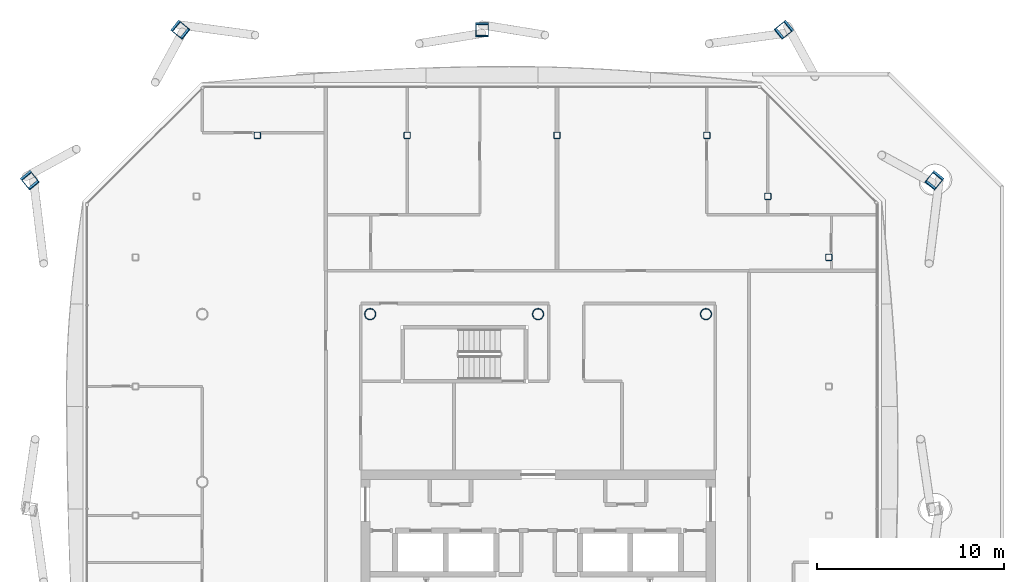
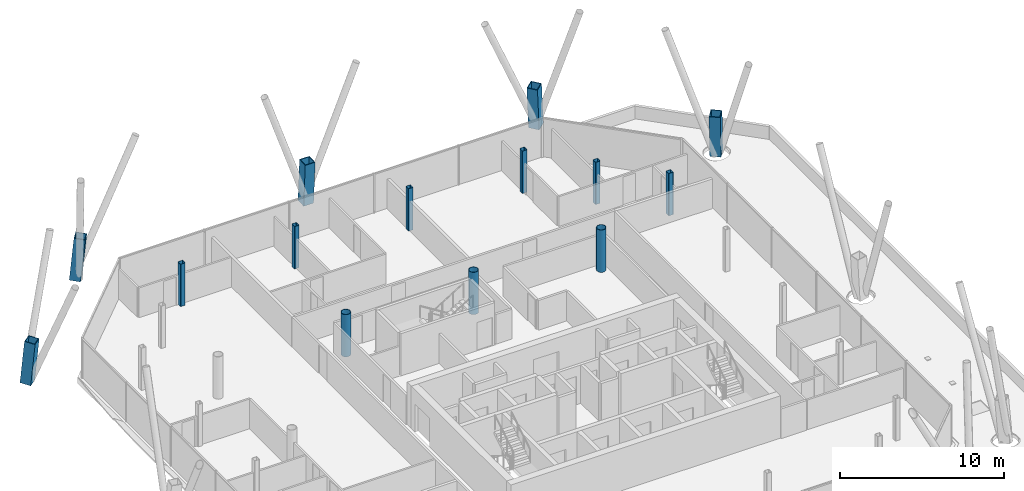
# One storey, part 3 of 21: 14 columns.
"""IFC4 building model written with IfcOpenShell, lengths in metres."""

from ifc_helpers import new_model, si_unit, direction, frame, origin, origin_2d, place, context, subcontext, project, spatial, hollow_rectangle, hollow_circle, extrude, material, material_profile, profile_set, type_object, element, save


model = new_model("IFC4")

# Units and contexts
model_context = context("Model", 3, precision=1e-05, world=origin(), true_north=direction((0.0, 1.0)))
body_context = subcontext(model_context, "Body", "Model", "MODEL_VIEW")
ifc_project = project(units=[si_unit("LENGTHUNIT", "METRE"), si_unit("AREAUNIT", "SQUARE_METRE"), si_unit("VOLUMEUNIT", "CUBIC_METRE"), si_unit("PLANEANGLEUNIT", "RADIAN"), si_unit("MASSUNIT", "GRAM", prefix="KILO")], contexts=[model_context])

# Site, building, storey
site_placement = place(None, origin())
site = spatial("IfcSite", under=ifc_project, at=site_placement, CompositionType="ELEMENT")
building_placement = place(site_placement, origin())
building = spatial("IfcBuilding", under=site, at=building_placement, Name="Tskaro Facet Tower", CompositionType="ELEMENT")
storey_placement = place(building_placement, frame((0.0, 0.0, 172.199951171875)))
storey = spatial("IfcBuildingStorey", under=building, at=storey_placement, Name="L42", CompositionType="ELEMENT", Elevation=172.199951171875)

# Columns
ifc_material_1 = material(Name="Steel S460M", Category="steel")
ifc_material_profile_1 = material_profile(ifc_material_1, hollow_rectangle(XDim=0.699951171875, YDim=0.699951171875, WallThickness=0.044921875, at=origin_2d()), Name="BOX 700x700x45")
ifc_profile_set_1 = profile_set([ifc_material_profile_1], Name="Steel S460M")
column_type_1 = type_object("IfcColumnType", Name="BOX 700x700x45 mega column", PredefinedType="COLUMN", material=ifc_profile_set_1)
for number, where, z_axis, x_axis, name in (
    (1, (21.27587890625, 16.216064453125, 0.0), (-0.057801519621, -0.0717695771, 0.995745003569), (0.778822091241, -0.627244888537, 0.0), "BOX 700x700x45 MC06/4"),
    (2, (13.216064453125, 24.27587890625, 0.0), (-0.0717695771, -0.057801519621, 0.995745003569), (0.627244888537, -0.778822091241, 0.0), "BOX 700x700x45 MC07/4"),
):
    element("IfcColumn", number, at=place(storey_placement, frame(where, z_axis=z_axis, x_axis=x_axis)), inside=storey, type_object=column_type_1, Name=name, PredefinedType="COLUMN", context=body_context, shape_type="SweptSolid", body=[
        extrude(hollow_rectangle(XDim=0.699951171875, YDim=0.699951171875, WallThickness=0.044921875, at=origin_2d()), origin(), (0.0, 0.0, 1.0), 3.16357421875),
    ])
column_placement = place(storey_placement, frame((-3.0, 24.27587890625, 0.0), z_axis=(0.0, -0.057950961306, 0.998319430886), x_axis=(1.0, 0.0, 0.0)))
element("IfcColumn", 3, at=column_placement, inside=storey, type_object=column_type_1, Name="BOX 700x700x45 MC08/4", PredefinedType="COLUMN", context=body_context, shape_type="SweptSolid", body=[
    extrude(hollow_rectangle(XDim=0.699951171875, YDim=0.699951171875, WallThickness=0.044921875, at=origin_2d()), origin(), (0.0, 0.0, 1.0), 3.155517578125),
])
for number, where, z_axis, x_axis, name in (
    (4, (-19.216064453125, 24.27587890625, 0.0), (0.0717695771, -0.057801519621, 0.995745003569), (0.627244888537, 0.778822091241, 0.0), "BOX 700x700x45 MC09/4"),
    (5, (-27.27587890625, 16.216064453125, 0.0), (0.057801519621, -0.0717695771, 0.995745003569), (0.778822091241, 0.627244888537, 0.0), "BOX 700x700x45 MC10/4"),
):
    element("IfcColumn", number, at=place(storey_placement, frame(where, z_axis=z_axis, x_axis=x_axis)), inside=storey, type_object=column_type_1, Name=name, PredefinedType="COLUMN", context=body_context, shape_type="SweptSolid", body=[
        extrude(hollow_rectangle(XDim=0.699951171875, YDim=0.699951171875, WallThickness=0.044921875, at=origin_2d()), origin(), (0.0, 0.0, 1.0), 3.16357421875),
    ])
ifc_material_2 = material(Name="Steel S355J2H", Category="steel")
ifc_material_profile_2 = material_profile(ifc_material_2, hollow_circle(Radius=0.304931640625, WallThickness=0.030029296875, at=origin_2d()), Name="CHS 610x30")
ifc_profile_set_2 = profile_set([ifc_material_profile_2], Name="Steel S355J2H")
column_type_2 = type_object("IfcColumnType", Name="CHS 610x30 interior column", PredefinedType="COLUMN", material=ifc_profile_set_2)
for number, where, z_axis, x_axis, name in (
    (6, (-9.0, 9.0, 0.0), (0.0, 0.0, 1.0), (1.0, 0.0, 0.0), "CHS 610x30 C3E/4"),
    (7, (0.0, 9.0, 0.0), (0.0, 0.0, 1.0), (1.0, 0.0, 0.0), "CHS 610x30 C4E/4"),
    (8, (9.0, 9.0, 0.0), (0.0, 0.0, 1.0), (1.0, 0.0, 0.0), "CHS 610x30 C5E/4"),
):
    element("IfcColumn", number, at=place(storey_placement, frame(where, z_axis=z_axis, x_axis=x_axis)), inside=storey, type_object=column_type_2, Name=name, PredefinedType="COLUMN", context=body_context, shape_type="SweptSolid", body=[
        extrude(hollow_circle(Radius=0.304931640625, WallThickness=0.030029296875, at=origin_2d()), origin(), (0.0, 0.0, 1.0), 3.150146484375),
    ])
ifc_material_profile_3 = material_profile(ifc_material_2, hollow_rectangle(XDim=0.35009765625, YDim=0.35009765625, WallThickness=0.02001953125, InnerFilletRadius=0.030029296875, OuterFilletRadius=0.050048828125, at=origin_2d()), Name="SHS 350x350x20")
ifc_profile_set_3 = profile_set([ifc_material_profile_3], Name="Steel S355J2H")
column_type_3 = type_object("IfcColumnType", Name="SHS 350x350x20 ring column", PredefinedType="COLUMN", material=ifc_profile_set_3)
for number, where, z_axis, x_axis, name in (
    (9, (15.5830078125, 12.0458984375, 0.0), (0.0, 0.0, 1.0), (1.0, 0.0, 0.0), "SHS 350x350x20 RNE-1/4"),
    (10, (12.31396484375, 15.31396484375, 0.0), (0.0, 0.0, 1.0), (1.0, 0.0, 0.0), "SHS 350x350x20 RNE-2/4"),
    (11, (9.0458984375, 18.5830078125, 0.0), (0.0, 0.0, 1.0), (1.0, 0.0, 0.0), "SHS 350x350x20 RN-1/4"),
    (12, (1.014892578125, 18.5830078125, 0.0), (0.0, 0.0, 1.0), (1.0, 0.0, 0.0), "SHS 350x350x20 RN-2/4"),
    (13, (-7.014892578125, 18.5830078125, 0.0), (0.0, 0.0, 1.0), (1.0, 0.0, 0.0), "SHS 350x350x20 RN-3/4"),
    (14, (-15.0458984375, 18.5830078125, 0.0), (0.0, 0.0, 1.0), (1.0, 0.0, 0.0), "SHS 350x350x20 RNW-1/4"),
):
    element("IfcColumn", number, at=place(storey_placement, frame(where, z_axis=z_axis, x_axis=x_axis)), inside=storey, type_object=column_type_3, Name=name, PredefinedType="COLUMN", context=body_context, shape_type="SweptSolid", body=[
        extrude(hollow_rectangle(XDim=0.35009765625, YDim=0.35009765625, WallThickness=0.02001953125, InnerFilletRadius=0.030029296875, OuterFilletRadius=0.050048828125, at=origin_2d()), origin(), (0.0, 0.0, 1.0), 3.150146484375),
    ])

save(model, "model.ifc")
